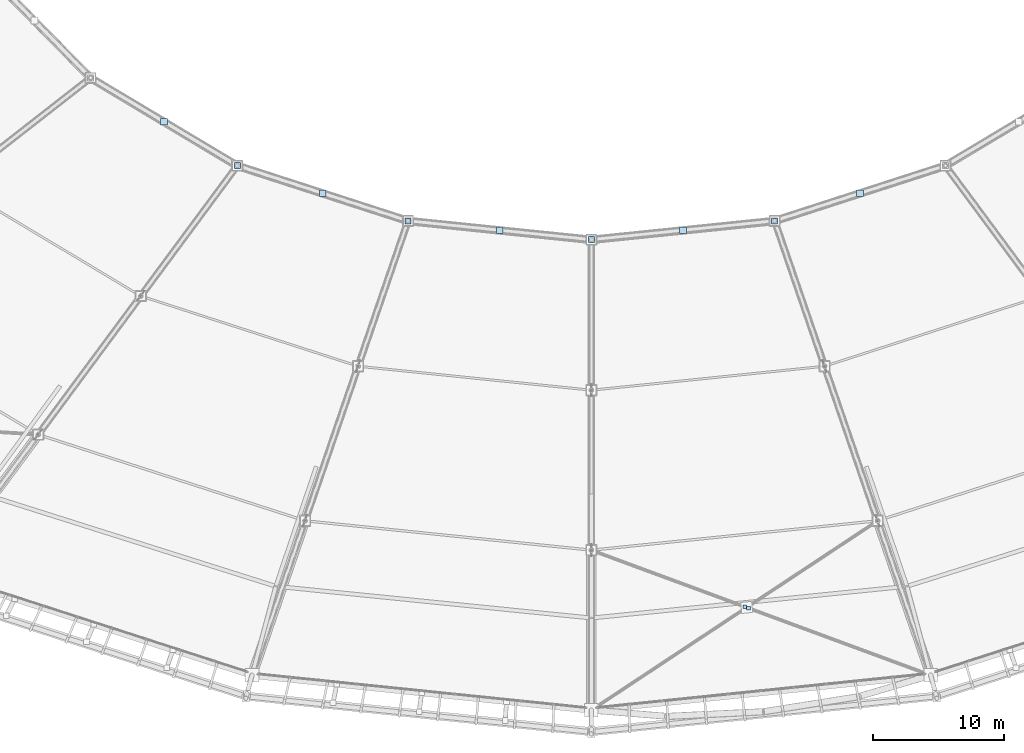
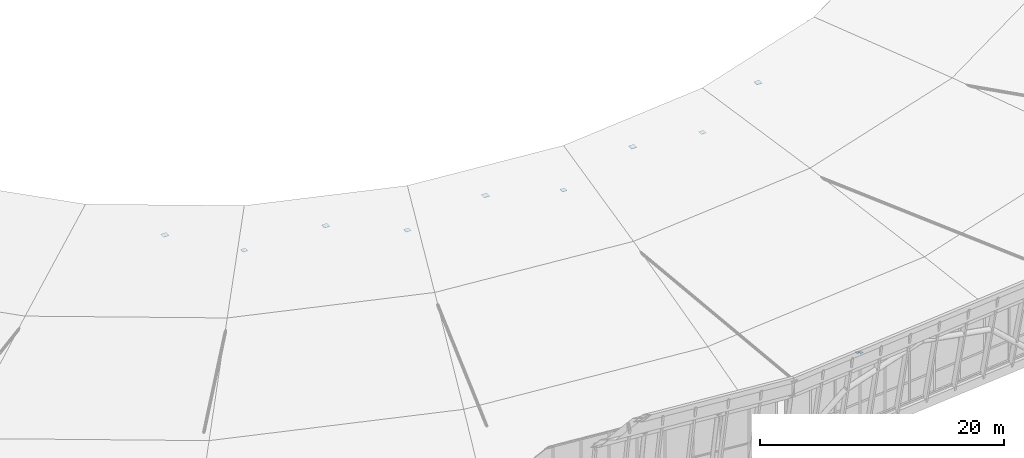
# One storey, part 102 of 115: 11 plates.
"""IFC4 building model written with IfcOpenShell, lengths in metres."""

import ifcopenshell
import ifcopenshell.guid

model = None  # the IFC model being written
_history = None  # IfcOwnerHistory: only IFC2X3 demands one
_inside = {}  # id of a spatial element -> (the spatial element, [elements in it])
_under = {}  # id of a project, library or spatial element -> (it, [spatial elements below it])
_declared = {}  # id of a project -> (the project, [libraries it declares])
_typed = {}  # id of a type object -> (the type object, [elements of that type])
_made_of = {}  # id of a material, layer set ... -> (it, [elements and type objects made of it])


def new_model(schema):
    """Start an empty IFC model of exactly this schema.

    Asked for "IFC4X3", IfcOpenShell would pick the latest addendum, in which some entities
    have other attributes; the version numbers below select the first issue.
    IFC2X3 requires an IfcOwnerHistory on every rooted entity: one is made here for all.
    """
    global model, _history
    if schema == "IFC4X3":
        model = ifcopenshell.file(schema_version=(4, 3, 0, 0))
    else:
        model = ifcopenshell.file(schema=schema)
    _inside.clear()
    _under.clear()
    _declared.clear()
    _typed.clear()
    _made_of.clear()
    _history = None
    if model.schema == "IFC2X3":
        org = make("IfcOrganization", Name="unknown")
        user = make(
            "IfcPersonAndOrganization",
            ThePerson=make("IfcPerson", FamilyName="unknown"),
            TheOrganization=org,
        )
        app = make(
            "IfcApplication",
            ApplicationDeveloper=org,
            Version="unknown",
            ApplicationFullName="unknown",
            ApplicationIdentifier="unknown",
        )
        _history = make(
            "IfcOwnerHistory",
            OwningUser=user,
            OwningApplication=app,
            ChangeAction="ADDED",
            CreationDate=0,
        )
    return model


def make(cls, **values):
    """One entity of the class cls with the attributes given. An attribute that is None is left unset."""
    return model.create_entity(
        cls, **{name: value for name, value in values.items() if value is not None}
    )


def rooted(cls, **values):
    """An entity with a GlobalId (a new one), such as an element, a storey or a relation."""
    return make(cls, GlobalId=ifcopenshell.guid.new(), OwnerHistory=_history, **values)


def si_unit(unit_type, name, prefix=None):
    """IfcSIUnit, for example si_unit("LENGTHUNIT", "METRE", prefix="MILLI")."""
    return make("IfcSIUnit", UnitType=unit_type, Prefix=prefix, Name=name)


def assignment(units):
    """IfcUnitAssignment: the units of a project."""
    return None if units is None else make("IfcUnitAssignment", Units=units)


def point(xyz):
    """IfcCartesianPoint."""
    return None if xyz is None else make("IfcCartesianPoint", Coordinates=xyz)


def direction(xyz):
    """IfcDirection."""
    return None if xyz is None else make("IfcDirection", DirectionRatios=xyz)


def frame(location, z_axis=None, x_axis=None):
    """IfcAxis2Placement3D, a coordinate frame: its origin and axes. An axis left out is left unset."""
    return make(
        "IfcAxis2Placement3D",
        Location=point(location),
        Axis=direction(z_axis),
        RefDirection=direction(x_axis),
    )


def frame_2d(location, x_axis=None):
    """IfcAxis2Placement2D, a coordinate frame in the plane: its origin and x axis."""
    return make(
        "IfcAxis2Placement2D", Location=point(location), RefDirection=direction(x_axis)
    )


def origin():
    """The frame at (0, 0, 0) with its axes left unset."""
    return frame((0.0, 0.0, 0.0))


def origin_2d():
    """The frame at (0, 0) in the plane with its x axis left unset."""
    return frame_2d((0.0, 0.0))


def place(relative_to, where):
    """IfcLocalPlacement: puts the frame where relative to a parent placement (None: the world)."""
    return make(
        "IfcLocalPlacement", PlacementRelTo=relative_to, RelativePlacement=where
    )


def context(
    kind, dimensions, precision=None, world=None, true_north=None, identifier=None
):
    """IfcGeometricRepresentationContext, for example the 3D "Model" context."""
    return make(
        "IfcGeometricRepresentationContext",
        ContextIdentifier=identifier,
        ContextType=kind,
        CoordinateSpaceDimension=dimensions,
        Precision=precision,
        WorldCoordinateSystem=world,
        TrueNorth=true_north,
    )


def subcontext(parent, identifier, kind, view, scale=None):
    """IfcGeometricRepresentationSubContext, for example "Body" below "Model"."""
    return make(
        "IfcGeometricRepresentationSubContext",
        ContextIdentifier=identifier,
        ContextType=kind,
        ParentContext=parent,
        TargetScale=scale,
        TargetView=view,
    )


def project(units=None, contexts=None):
    """IfcProject with its units and contexts."""
    return rooted(
        "IfcProject",
        Name="project",
        RepresentationContexts=contexts,
        UnitsInContext=assignment(units),
    )


def spatial(cls, under=None, at=None, **own):
    """A site, building, storey or space (cls), placed at a placement, below another one or the project."""
    s = rooted(cls, ObjectPlacement=at, **own)
    if under is not None:
        _under.setdefault(under.id(), (under, []))[1].append(s)
    return s


def profile(cls, at=None, kind="AREA", **sizes):
    """A parametric profile (cls). Its sizes go by their IFC names, for example OverallWidth=200.0."""
    return make(cls, ProfileType=kind, Position=at, **sizes)


def rectangle(**sizes):
    """IfcRectangleProfileDef."""
    return profile("IfcRectangleProfileDef", **sizes)


def extrude(swept, where, along, depth):
    """IfcExtrudedAreaSolid: the profile swept, set in the frame where, extruded along a direction by depth."""
    return make(
        "IfcExtrudedAreaSolid",
        SweptArea=swept,
        Position=where,
        ExtrudedDirection=direction(along),
        Depth=depth,
    )


def shape(context_of_items, identifier, shape_type, items):
    """IfcShapeRepresentation: the items that make up one representation, for example the "Body"."""
    return make(
        "IfcShapeRepresentation",
        ContextOfItems=context_of_items,
        RepresentationIdentifier=identifier,
        RepresentationType=shape_type,
        Items=items,
    )


def material(Name=None, Category=None):
    """IfcMaterial."""
    return make("IfcMaterial", Name=Name, Category=Category)


def layer(
    of_material, thickness, ventilated=None, Name=None, Category=None, Priority=None
):
    """IfcMaterialLayer: one layer of a wall or slab, of a material (None: an air gap)."""
    return make(
        "IfcMaterialLayer",
        Material=of_material,
        LayerThickness=thickness,
        IsVentilated=ventilated,
        Name=Name,
        Category=Category,
        Priority=Priority,
    )


def layer_set(layers, Name=None):
    """IfcMaterialLayerSet."""
    return make("IfcMaterialLayerSet", MaterialLayers=layers, LayerSetName=Name)


def made_of(thing, what):
    """Note that an element or type object is made of a material, layer set ...; save() writes the relation."""
    if what is not None:
        _made_of.setdefault(what.id(), (what, []))[1].append(thing)
    return thing


def type_object(cls, material=None, **own):
    """A type object (cls), such as IfcWallType, which elements share."""
    return made_of(rooted(cls, **own), material)


def element(
    cls,
    number,
    at=None,
    inside=None,
    cuts=None,
    type_object=None,
    material=None,
    context=None,
    identifier="Body",
    shape_type=None,
    held_by="IfcProductDefinitionShape",
    body=None,
    shapes=None,
    **own,
):
    """One element of the class cls, such as IfcWall. Its Tag is "e" and its number.

    at: its placement. inside: the storey or other place that contains it. cuts: it is an
    opening in that element (IfcRelVoidsElement). A single representation is given by context,
    identifier, shape_type and body (its items); several are given by shapes. held_by: the class
    of the entity that holds the representations. save() writes the other relations.
    """
    e = rooted(cls, Tag="e%d" % number, ObjectPlacement=at, **own)
    if body is not None:
        shapes = [shape(context, identifier, shape_type, body)]
    if shapes is not None:
        e.Representation = make(held_by, Representations=shapes)
    if inside is not None:
        _inside.setdefault(inside.id(), (inside, []))[1].append(e)
    if cuts is not None:
        rooted(
            "IfcRelVoidsElement", RelatingBuildingElement=cuts, RelatedOpeningElement=e
        )
    if type_object is not None:
        _typed.setdefault(type_object.id(), (type_object, []))[1].append(e)
    return made_of(e, material)


def aggregate(whole, parts):
    """IfcRelAggregates: a whole, such as a stair, and the parts it consists of."""
    return rooted("IfcRelAggregates", RelatingObject=whole, RelatedObjects=parts)


def save(model, path):
    """Write the relations noted so far, then the file.

    IfcRelAggregates (storeys below a building ...), IfcRelContainedInSpatialStructure (elements
    in a storey), IfcRelDefinesByType, IfcRelAssociatesMaterial and IfcRelDeclares: one each for
    every whole, place, type object, material and project.
    """
    for whole, parts in _under.values():
        aggregate(whole, parts)
    for where, things in _inside.values():
        rooted(
            "IfcRelContainedInSpatialStructure",
            RelatedElements=things,
            RelatingStructure=where,
        )
    for kind, things in _typed.values():
        rooted("IfcRelDefinesByType", RelatedObjects=things, RelatingType=kind)
    for what, things in _made_of.values():
        rooted("IfcRelAssociatesMaterial", RelatedObjects=things, RelatingMaterial=what)
    for by, libraries in _declared.values():
        rooted("IfcRelDeclares", RelatingContext=by, RelatedDefinitions=libraries)
    model.write(path)


model = new_model("IFC4")

# Units and contexts
model_context = context("Model", 3, precision=1e-05, world=origin(), true_north=direction((0.0, 1.0)))
body_context = subcontext(model_context, "Body", "Model", "MODEL_VIEW")
ifc_project = project(units=[si_unit("LENGTHUNIT", "METRE"), si_unit("AREAUNIT", "SQUARE_METRE"), si_unit("VOLUMEUNIT", "CUBIC_METRE"), si_unit("PLANEANGLEUNIT", "RADIAN"), si_unit("MASSUNIT", "GRAM", prefix="KILO")], contexts=[model_context])

# Site, building, storey
site_placement = place(None, origin())
site = spatial("IfcSite", under=ifc_project, at=site_placement, CompositionType="ELEMENT")
building_placement = place(site_placement, origin())
building = spatial("IfcBuilding", under=site, at=building_placement, Name="Zlatoyarsky Gate Stadium", CompositionType="ELEMENT")
storey_placement = place(building_placement, frame((0.0, 0.0, 31.800048828125)))
storey = spatial("IfcBuildingStorey", under=building, at=storey_placement, Name="RF", CompositionType="ELEMENT", Elevation=31.800048828125)

# Plates
ifc_material = material(Name="Steel S355", Category="steel")
ifc_layer = layer(ifc_material, 0.02392578125)
ifc_layer_set = layer_set([ifc_layer], Name="Steel S355")
plate_type = type_object("IfcPlateType", Name="STEEL HOLLOW CHORD SPLICE SHEET 24", PredefinedType="SHEET", material=ifc_layer_set)
for number, where, z_axis, x_axis, name in (
    (1, (78.399169921875, 46.858154296875, 6.43798828125), (0.0, 0.0, 1.0), (1.0, 0.0, 0.0), "Node closure plate ND-SP1 NCAP-CATM-15"),
    (2, (90.506103515625, 41.405517578125, 6.43798828125), (0.0, 0.0, 1.0), (1.0, 0.0, 0.0), "Node closure plate ND-SP1 NCAP-CATM-16"),
):
    element("IfcPlate", number, at=place(storey_placement, frame(where, z_axis=z_axis, x_axis=x_axis)), inside=storey, type_object=plate_type, Name=name, PredefinedType="SHEET", context=body_context, shape_type="SweptSolid", body=[
        extrude(rectangle(XDim=0.52001953125, YDim=0.52001953125, at=origin_2d()), origin(), (0.0, 0.0, 1.0), 0.02392578125),
    ])
plate_1_placement = place(storey_placement, frame((83.992431640625, 43.510009765625, 4.988037109375), z_axis=(0.0, 0.0, 1.0), x_axis=(1.0, 0.0, 0.0)))
element("IfcPlate", 3, at=plate_1_placement, inside=storey, type_object=plate_type, Name="Node closure plate ND-SP1 NCAP-CAT-16", PredefinedType="SHEET", context=body_context, shape_type="SweptSolid", body=[
    extrude(rectangle(XDim=0.449951171875, YDim=0.449951171875, at=origin_2d()), origin(), (0.0, 0.0, 1.0), 0.02392578125),
])
plate_2_placement = place(storey_placement, frame((104.010009765625, 38.5830078125, 6.43798828125), z_axis=(0.0, 0.0, 1.0), x_axis=(1.0, 0.0, 0.0)))
element("IfcPlate", 4, at=plate_2_placement, inside=storey, type_object=plate_type, Name="Node closure plate ND-SP1 NCAP-CATM-17", PredefinedType="SHEET", context=body_context, shape_type="SweptSolid", body=[
    extrude(rectangle(XDim=0.52001953125, YDim=0.52001953125, at=origin_2d()), origin(), (0.0, 0.0, 1.0), 0.02392578125),
])
plate_3_placement = place(storey_placement, frame((97.02001953125, 39.30078125, 4.988037109375), z_axis=(0.0, 0.0, 1.0), x_axis=(1.0, 0.0, 0.0)))
element("IfcPlate", 5, at=plate_3_placement, inside=storey, type_object=plate_type, Name="Node closure plate ND-SP1 NCAP-CAT-17", PredefinedType="SHEET", context=body_context, shape_type="SweptSolid", body=[
    extrude(rectangle(XDim=0.449951171875, YDim=0.449951171875, at=origin_2d()), origin(), (0.0, 0.0, 1.0), 0.02392578125),
])
plate_4_placement = place(storey_placement, frame((117.989990234375, 38.5830078125, 6.43798828125), z_axis=(0.0, 0.0, 1.0), x_axis=(1.0, 0.0, 0.0)))
element("IfcPlate", 6, at=plate_4_placement, inside=storey, type_object=plate_type, Name="Node closure plate ND-SP1 NCAP-CATM-18", PredefinedType="SHEET", context=body_context, shape_type="SweptSolid", body=[
    extrude(rectangle(XDim=0.52001953125, YDim=0.52001953125, at=origin_2d()), origin(), (0.0, 0.0, 1.0), 0.02392578125),
])
plate_5_placement = place(storey_placement, frame((111.0, 37.864990234375, 4.988037109375), z_axis=(0.0, 0.0, 1.0), x_axis=(1.0, 0.0, 0.0)))
element("IfcPlate", 7, at=plate_5_placement, inside=storey, type_object=plate_type, Name="Node closure plate ND-SP1 NCAP-CAT-18", PredefinedType="SHEET", context=body_context, shape_type="SweptSolid", body=[
    extrude(rectangle(XDim=0.449951171875, YDim=0.449951171875, at=origin_2d()), origin(), (0.0, 0.0, 1.0), 0.02392578125),
])
for number, where, z_axis, x_axis, name in (
    (8, (122.98388671875, 9.7578125, 1.564208984375), (0.0, 0.0, 1.0), (1.0, 0.0, 0.0), "Node closure plate ND-SP1 NCAP-XBH1-18"),
    (9, (122.708984375, 9.85888671875, 1.60009765625), (0.0, 0.0, 1.0), (1.0, 0.0, 0.0), "Node closure plate ND-SP1 NCAP-XBH2-18"),
):
    element("IfcPlate", number, at=place(storey_placement, frame(where, z_axis=z_axis, x_axis=x_axis)), inside=storey, type_object=plate_type, Name=name, PredefinedType="SHEET", context=body_context, shape_type="SweptSolid", body=[
        extrude(rectangle(XDim=0.280029296875, YDim=0.280029296875, at=origin_2d()), origin(), (0.0, 0.0, 1.0), 0.02392578125),
    ])
plate_6_placement = place(storey_placement, frame((131.493896484375, 41.405517578125, 6.43798828125), z_axis=(0.0, 0.0, 1.0), x_axis=(1.0, 0.0, 0.0)))
element("IfcPlate", 10, at=plate_6_placement, inside=storey, type_object=plate_type, Name="Node closure plate ND-SP1 NCAP-CATM-19", PredefinedType="SHEET", context=body_context, shape_type="SweptSolid", body=[
    extrude(rectangle(XDim=0.52001953125, YDim=0.52001953125, at=origin_2d()), origin(), (0.0, 0.0, 1.0), 0.02392578125),
])
plate_7_placement = place(storey_placement, frame((124.97998046875, 39.30078125, 4.988037109375), z_axis=(0.0, 0.0, 1.0), x_axis=(1.0, 0.0, 0.0)))
element("IfcPlate", 11, at=plate_7_placement, inside=storey, type_object=plate_type, Name="Node closure plate ND-SP1 NCAP-CAT-19", PredefinedType="SHEET", context=body_context, shape_type="SweptSolid", body=[
    extrude(rectangle(XDim=0.449951171875, YDim=0.449951171875, at=origin_2d()), origin(), (0.0, 0.0, 1.0), 0.02392578125),
])

save(model, "model.ifc")
